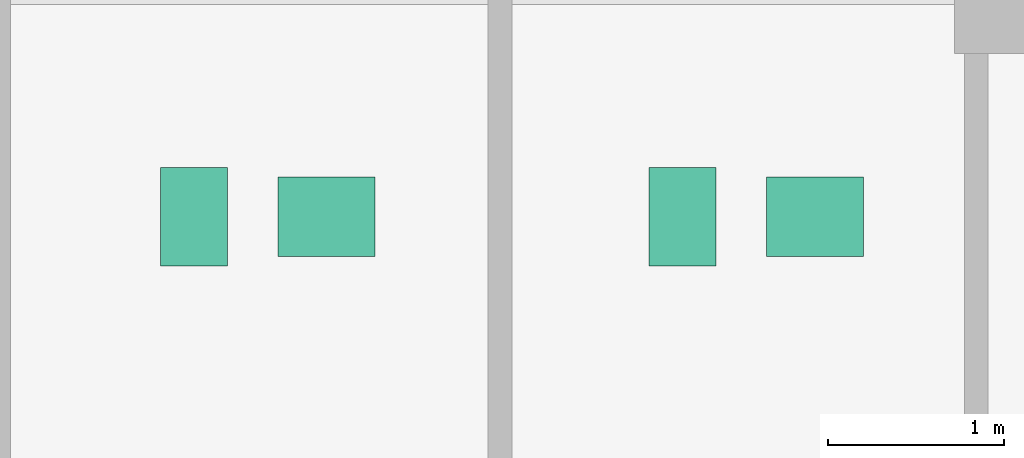
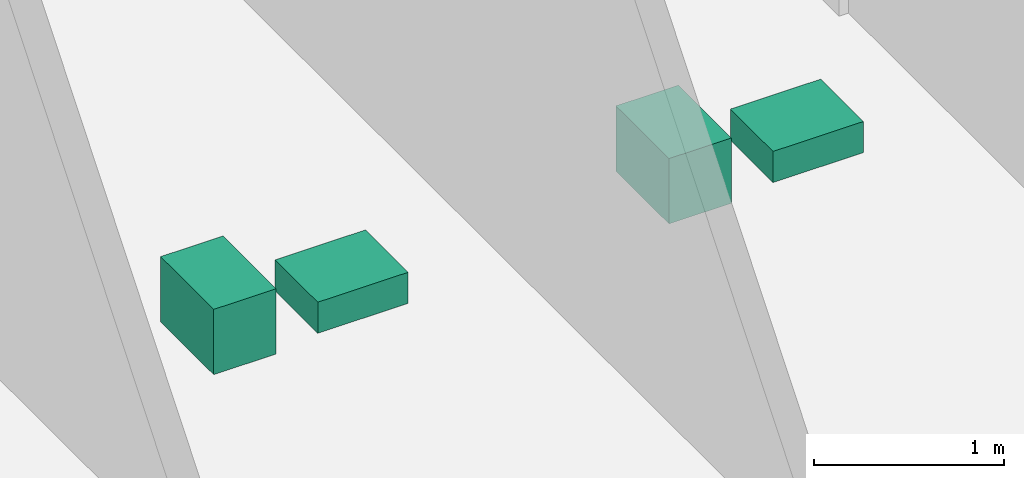
# One storey, part 30 of 30: 4 sanitary terminals.
"""IFC4 building model written with IfcOpenShell, lengths in metres."""

from ifc_helpers import new_model, si_unit, direction, frame, origin, origin_2d, place, context, subcontext, project, spatial, rectangle, extrude, material, type_object, element, save


model = new_model("IFC4")

# Units and contexts
model_context = context("Model", 3, precision=1e-05, world=origin(), true_north=direction((0.0, 1.0)))
body_context = subcontext(model_context, "Body", "Model", "MODEL_VIEW")
ifc_project = project(units=[si_unit("LENGTHUNIT", "METRE"), si_unit("AREAUNIT", "SQUARE_METRE"), si_unit("VOLUMEUNIT", "CUBIC_METRE"), si_unit("PLANEANGLEUNIT", "RADIAN"), si_unit("MASSUNIT", "GRAM", prefix="KILO")], contexts=[model_context])

# Site, building, storey
site_placement = place(None, origin())
site = spatial("IfcSite", under=ifc_project, at=site_placement, CompositionType="ELEMENT")
building_placement = place(site_placement, origin())
building = spatial("IfcBuilding", under=site, at=building_placement, Name="Zuhayl Quay Hotel", CompositionType="ELEMENT")
storey_placement = place(building_placement, frame((0.0, 0.0, 6.0)))
storey = spatial("IfcBuildingStorey", under=building, at=storey_placement, Name="L01", CompositionType="ELEMENT", Elevation=6.0)

# Sanitary terminals
ifc_material = material(Name="Vitreous Porcelain Sanitaryware")
sanitary_terminal_type_1 = type_object("IfcSanitaryTerminalType", Name="SAN_BASIN", PredefinedType="WASHHANDBASIN", material=ifc_material)
for number, where, z_axis, x_axis, name in (
    (1, (26.514892578125, 20.85009765625, 0.0), (0.0, 0.0, 1.0), (1.0, 0.0, 0.0), "L01 Sanitary Fixture WASHHANDBASIN"),
    (2, (29.284912109375, 20.85009765625, 0.0), (0.0, 0.0, 1.0), (1.0, 0.0, 0.0), "L01 Sanitary Fixture WASHHANDBASIN"),
):
    element("IfcSanitaryTerminal", number, at=place(storey_placement, frame(where, z_axis=z_axis, x_axis=x_axis)), inside=storey, type_object=sanitary_terminal_type_1, Name=name, PredefinedType="WASHHANDBASIN", context=body_context, shape_type="SweptSolid", body=[
        extrude(rectangle(XDim=0.550048828125, YDim=0.449951171875, at=origin_2d()), origin(), (0.0, 0.0, 1.0), 0.199951171875),
    ])
sanitary_terminal_type_2 = type_object("IfcSanitaryTerminalType", Name="SAN_WC", PredefinedType="TOILETPAN", material=ifc_material)
for number, where, z_axis, x_axis, name in (
    (3, (25.764892578125, 20.85009765625, 0.0), (0.0, 0.0, 1.0), (1.0, 0.0, 0.0), "L01 Sanitary Fixture TOILETPAN"),
    (4, (28.534912109375, 20.85009765625, 0.0), (0.0, 0.0, 1.0), (1.0, 0.0, 0.0), "L01 Sanitary Fixture TOILETPAN"),
):
    element("IfcSanitaryTerminal", number, at=place(storey_placement, frame(where, z_axis=z_axis, x_axis=x_axis)), inside=storey, type_object=sanitary_terminal_type_2, Name=name, PredefinedType="TOILETPAN", context=body_context, shape_type="SweptSolid", body=[
        extrude(rectangle(XDim=0.3798828125, YDim=0.56005859375, at=origin_2d()), origin(), (0.0, 0.0, 1.0), 0.419921875),
    ])

save(model, "model.ifc")
